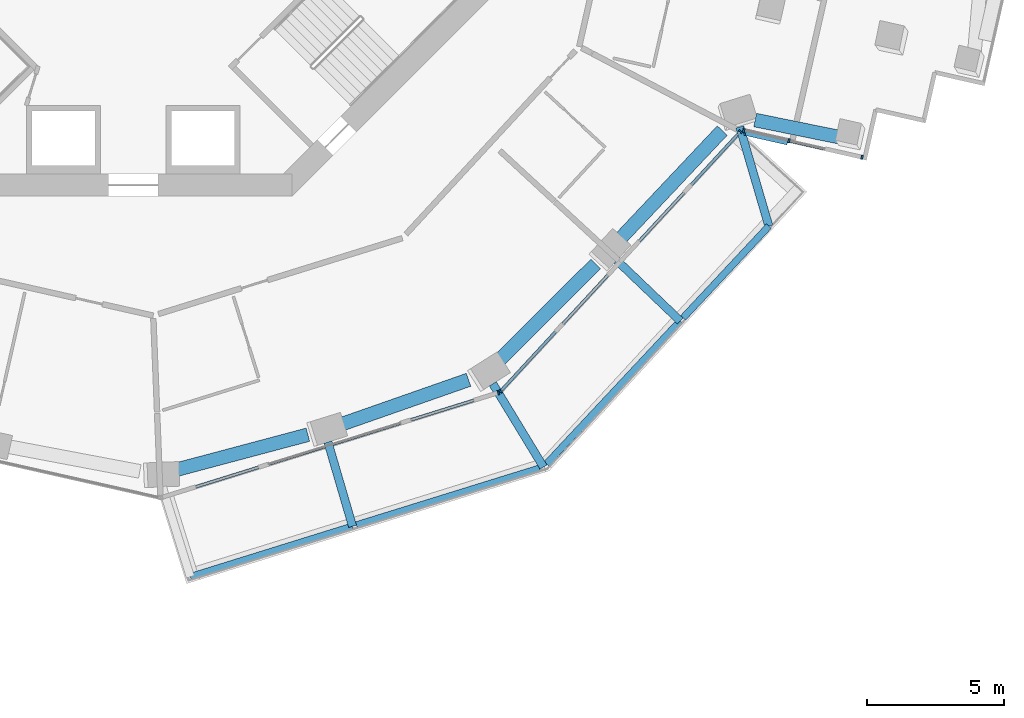
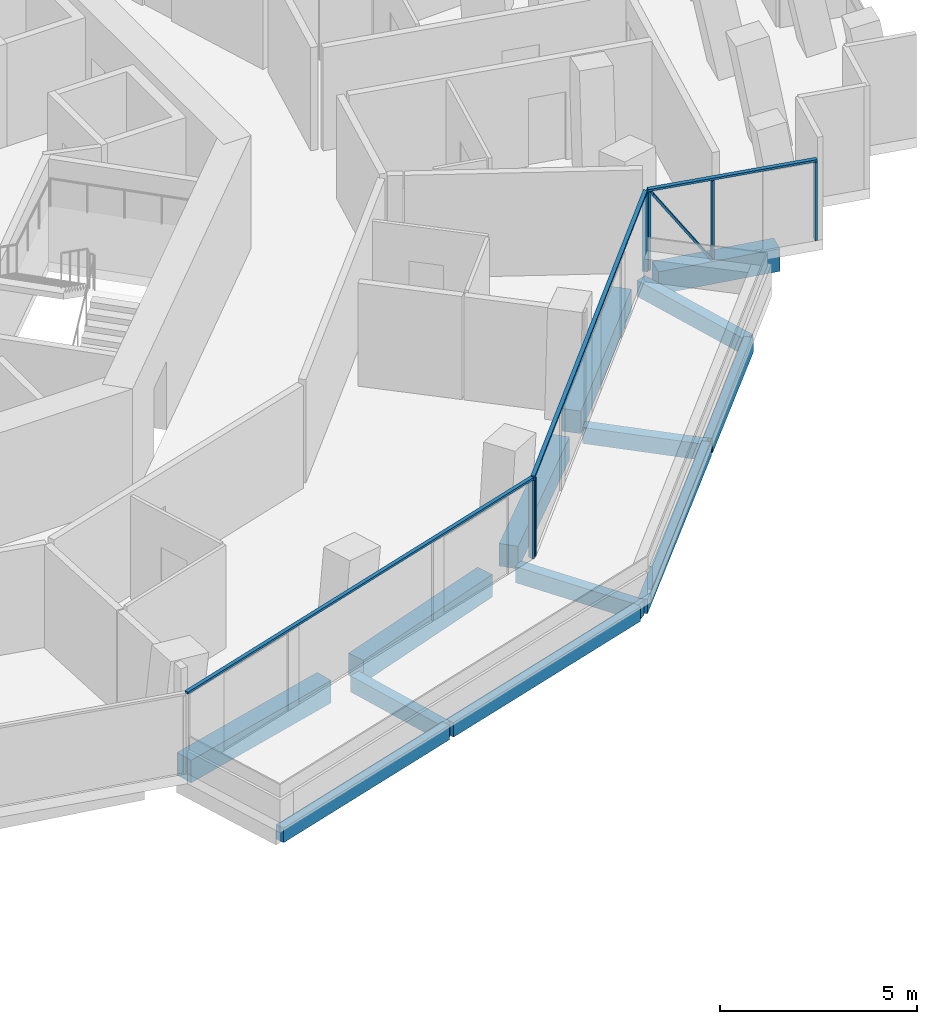
# One storey, part 5 of 25: 13 beams, 10 members, 3 elements without a shape of their own.
"""IFC4 building model written with IfcOpenShell, lengths in metres."""

from ifc_helpers import new_model, si_unit, direction, frame, origin, origin_2d, place, context, subcontext, project, spatial, rectangle, extrude, material, layer, layer_set, material_profile, profile_set, type_object, element, aggregate, save


model = new_model("IFC4")

# Units and contexts
model_context = context("Model", 3, precision=1e-05, world=origin(), true_north=direction((0.0, 1.0)))
body_context = subcontext(model_context, "Body", "Model", "MODEL_VIEW")
ifc_project = project(units=[si_unit("LENGTHUNIT", "METRE"), si_unit("AREAUNIT", "SQUARE_METRE"), si_unit("VOLUMEUNIT", "CUBIC_METRE"), si_unit("PLANEANGLEUNIT", "RADIAN"), si_unit("MASSUNIT", "GRAM", prefix="KILO")], contexts=[model_context])

# Site, building, storey
site_placement = place(None, origin())
site = spatial("IfcSite", under=ifc_project, at=site_placement, CompositionType="ELEMENT")
building_placement = place(site_placement, origin())
building = spatial("IfcBuilding", under=site, at=building_placement, Name="Verdalira Terraces Hotel", CompositionType="ELEMENT")
storey_placement = place(building_placement, frame((0.0, 0.0, 103.5)))
storey = spatial("IfcBuildingStorey", under=building, at=storey_placement, Name="L24", CompositionType="ELEMENT", Elevation=103.5)

# Beams
ifc_material_1 = material(Name="Concrete C40", Category="concrete")
ifc_material_profile_1 = material_profile(ifc_material_1, rectangle(XDim=0.300049, YDim=0.5, at=origin_2d()), Name="RC 300X500")
ifc_profile_set_1 = profile_set([ifc_material_profile_1], Name="Concrete C40")
beam_type_1 = type_object("IfcBeamType", Name="Balcony cantilever beam RC 300X500 C40", PredefinedType="BEAM", material=ifc_profile_set_1)
beam_1_placement = place(storey_placement, frame((7.105713, -22.984863, -0.560059), z_axis=(0.280931312, -0.959727877, 0.0), x_axis=(0.959727877, 0.280931312, 0.0)))
element("IfcBeam", 1, at=beam_1_placement, inside=storey, type_object=beam_type_1, Name="Balcony cantilever beam R26-2", PredefinedType="BEAM", context=body_context, shape_type="SweptSolid", body=[
    extrude(rectangle(XDim=0.300049, YDim=0.5, at=origin_2d()), origin(), (0.0, 0.0, 1.0), 3.200684),
])
beam_2_placement = place(storey_placement, frame((13.123779, -20.856934, -0.560059), z_axis=(0.519755305, -0.854315178, 0.0), x_axis=(0.854315178, 0.519755305, 0.0)))
element("IfcBeam", 2, at=beam_2_placement, inside=storey, type_object=beam_type_1, Name="Balcony cantilever beam R26-3", PredefinedType="BEAM", context=body_context, shape_type="SweptSolid", body=[
    extrude(rectangle(XDim=0.300049, YDim=0.5, at=origin_2d()), origin(), (0.0, 0.0, 1.0), 3.556641),
])
beam_3_placement = place(storey_placement, frame((17.645996, -16.352539, -0.560059), z_axis=(0.723166767, -0.69067346, 0.0), x_axis=(0.69067346, 0.723166767, 0.0)))
element("IfcBeam", 3, at=beam_3_placement, inside=storey, type_object=beam_type_1, Name="Balcony cantilever beam R26-4", PredefinedType="BEAM", context=body_context, shape_type="SweptSolid", body=[
    extrude(rectangle(XDim=0.300049, YDim=0.5, at=origin_2d()), origin(), (0.0, 0.0, 1.0), 3.200684),
])
beam_4_placement = place(storey_placement, frame((22.135742, -11.484619, -0.560059), z_axis=(0.280984587, -0.959712281, 0.0), x_axis=(0.959712281, 0.280984587, 0.0)))
element("IfcBeam", 4, at=beam_4_placement, inside=storey, type_object=beam_type_1, Name="Balcony cantilever beam R26-5", PredefinedType="BEAM", context=body_context, shape_type="SweptSolid", body=[
    extrude(rectangle(XDim=0.300049, YDim=0.5, at=origin_2d()), origin(), (0.0, 0.0, 1.0), 3.77002),
])
ifc_material_2 = material(Name="Concrete C40", Category="concrete")
ifc_material_profile_2 = material_profile(ifc_material_2, rectangle(XDim=0.25, YDim=0.449951, at=origin_2d()), Name="RC 250X450")
ifc_profile_set_2 = profile_set([ifc_material_profile_2], Name="Concrete C40")
beam_type_2 = type_object("IfcBeamType", Name="Balcony edge beam RC 250X450 C40", PredefinedType="BEAM", material=ifc_profile_set_2)
beam_5_placement = place(storey_placement, frame((2.084961, -27.898193, -0.534912), z_axis=(0.95486596, 0.297037031, 0.0), x_axis=(-0.297037031, 0.95486596, 0.0)))
element("IfcBeam", 5, at=beam_5_placement, inside=storey, type_object=beam_type_2, Name="Balcony edge beam R26-1", PredefinedType="BEAM", context=body_context, shape_type="SweptSolid", body=[
    extrude(rectangle(XDim=0.25, YDim=0.449951, at=origin_2d()), origin(), (0.0, 0.0, 1.0), 6.199707),
])
beam_6_placement = place(storey_placement, frame((8.148193, -26.012207, -0.534912), z_axis=(0.955103675, 0.296271784, 0.0), x_axis=(-0.296271784, 0.955103675, 0.0)))
element("IfcBeam", 6, at=beam_6_placement, inside=storey, type_object=beam_type_2, Name="Balcony edge beam R26-2", PredefinedType="BEAM", context=body_context, shape_type="SweptSolid", body=[
    extrude(rectangle(XDim=0.25, YDim=0.449951, at=origin_2d()), origin(), (0.0, 0.0, 1.0), 6.990234),
])
beam_7_placement = place(storey_placement, frame((15.078857, -23.781738, -0.534912), z_axis=(0.683157717, 0.730270864, 0.0), x_axis=(-0.730270864, 0.683157717, 0.0)))
element("IfcBeam", 7, at=beam_7_placement, inside=storey, type_object=beam_type_2, Name="Balcony edge beam R26-3", PredefinedType="BEAM", context=body_context, shape_type="SweptSolid", body=[
    extrude(rectangle(XDim=0.25, YDim=0.449951, at=origin_2d()), origin(), (0.0, 0.0, 1.0), 7.145996),
])
beam_8_placement = place(storey_placement, frame((20.063232, -18.453613, -0.534912), z_axis=(0.68283015, 0.73057716, 0.0), x_axis=(-0.73057716, 0.68283015, 0.0)))
element("IfcBeam", 8, at=beam_8_placement, inside=storey, type_object=beam_type_2, Name="Balcony edge beam R26-4", PredefinedType="BEAM", context=body_context, shape_type="SweptSolid", body=[
    extrude(rectangle(XDim=0.25, YDim=0.449951, at=origin_2d()), origin(), (0.0, 0.0, 1.0), 4.58667),
])

# Curtain wall, member
ifc_material_3 = material(Name="Clear glass", Category="glass")
ifc_layer_1 = layer(ifc_material_3, 0.14990234375)
ifc_layer_set_1 = layer_set([ifc_layer_1], Name="CW1 curtain wall")
curtain_wall_type_1 = type_object("IfcCurtainWallType", Name="CW1 curtain wall", PredefinedType="NOTDEFINED", material=ifc_layer_set_1)
curtain_wall_1_placement = place(storey_placement, origin())
curtain_wall_1 = element("IfcCurtainWall", 9, at=curtain_wall_1_placement, inside=storey, type_object=curtain_wall_type_1, Name="CW1 curtain wall L24 edge 26", PredefinedType="NOTDEFINED")
ifc_material_4 = material(Name="Terracotta frame", Category="masonry")
ifc_material_profile_3 = material_profile(ifc_material_4, rectangle(XDim=0.060059, YDim=0.149902, at=origin_2d()), Name="MU 60x150")
ifc_profile_set_3 = profile_set([ifc_material_profile_3], Name="Terracotta frame")
member_type_1 = type_object("IfcMemberType", Name="CW1 mullion 60x150", PredefinedType="MULLION", material=ifc_profile_set_3)
member_1_placement = place(storey_placement, frame((13.322998, -21.181885, 0.0), z_axis=(0.0, 0.0, 1.0), x_axis=(0.954864545, 0.297041582, 0.0)))
member_1 = element("IfcMember", 10, at=member_1_placement, type_object=member_type_1, Name="CW1 mullion", PredefinedType="MULLION", context=body_context, shape_type="SweptSolid", body=[
    extrude(rectangle(XDim=0.060059, YDim=0.149902, at=origin_2d()), origin(), (0.0, 0.0, 1.0), 2.425049),
])

# Curtain wall, members
curtain_wall_2_placement = place(storey_placement, origin())
curtain_wall_2 = element("IfcCurtainWall", 11, at=curtain_wall_2_placement, inside=storey, type_object=curtain_wall_type_1, Name="CW1 curtain wall L24 edge 27", PredefinedType="NOTDEFINED")
member_2_placement = place(storey_placement, frame((13.404785, -21.130127, 0.0), z_axis=(0.0, 0.0, 1.0), x_axis=(0.678416162, 0.734677828, 0.0)))
member_2 = element("IfcMember", 12, at=member_2_placement, type_object=member_type_1, Name="CW1 mullion", PredefinedType="MULLION", context=body_context, shape_type="SweptSolid", body=[
    extrude(rectangle(XDim=0.060059, YDim=0.149902, at=origin_2d()), origin(), (0.0, 0.0, 1.0), 2.425049),
])
member_3_placement = place(storey_placement, frame((22.15625, -11.653076, 0.0), z_axis=(0.0, 0.0, 1.0), x_axis=(0.678416162, 0.734677828, 0.0)))
member_3 = element("IfcMember", 13, at=member_3_placement, type_object=member_type_1, Name="CW1 mullion", PredefinedType="MULLION", context=body_context, shape_type="SweptSolid", body=[
    extrude(rectangle(XDim=0.060059, YDim=0.149902, at=origin_2d()), origin(), (0.0, 0.0, 1.0), 2.425049),
])

# Member
ifc_material_5 = material(Name="Terracotta frame", Category="masonry")
ifc_material_profile_4 = material_profile(ifc_material_5, rectangle(XDim=0.110107, YDim=0.064941, at=origin_2d()), Name="TR 65x110")
ifc_profile_set_4 = profile_set([ifc_material_profile_4], Name="Terracotta frame")
member_type_2 = type_object("IfcMemberType", Name="CW1 transom 65x110", PredefinedType="USERDEFINED", material=ifc_profile_set_4)
member_4_placement = place(storey_placement, frame((1.015137, -25.010742, 2.45752), z_axis=(0.954860826, 0.297053535, 0.0), x_axis=(-0.297053535, 0.954860826, 0.0)))
member_4 = element("IfcMember", 14, at=member_4_placement, type_object=member_type_2, Name="CW1 transom", ObjectType="TRANSOM", PredefinedType="USERDEFINED", context=body_context, shape_type="SweptSolid", body=[
    extrude(rectangle(XDim=0.110107, YDim=0.064941, at=origin_2d()), origin(), (0.0, 0.0, 1.0), 12.919922),
])

aggregate(curtain_wall_1, [member_1, member_4])

member_5_placement = place(storey_placement, frame((13.384521, -21.152344, 2.45752), z_axis=(0.678412319, 0.734681377, 0.0), x_axis=(-0.734681377, 0.678412319, 0.0)))
member_5 = element("IfcMember", 15, at=member_5_placement, type_object=member_type_2, Name="CW1 transom", ObjectType="TRANSOM", PredefinedType="USERDEFINED", context=body_context, shape_type="SweptSolid", body=[
    extrude(rectangle(XDim=0.110107, YDim=0.064941, at=origin_2d()), origin(), (0.0, 0.0, 1.0), 12.959961),
])

aggregate(curtain_wall_2, [member_2, member_3, member_5])

# Curtain wall, members
ifc_material_6 = material(Name="Clear glass", Category="glass")
ifc_layer_2 = layer(ifc_material_6, 0.14990234375)
ifc_layer_set_2 = layer_set([ifc_layer_2], Name="CW2 curtain wall")
curtain_wall_type_2 = type_object("IfcCurtainWallType", Name="CW2 curtain wall", PredefinedType="NOTDEFINED", material=ifc_layer_set_2)
curtain_wall_3_placement = place(storey_placement, origin())
curtain_wall_3 = element("IfcCurtainWall", 16, at=curtain_wall_3_placement, inside=storey, type_object=curtain_wall_type_2, Name="CW2 curtain wall L24 edge 28", PredefinedType="NOTDEFINED")
ifc_material_7 = material(Name="Terracotta frame", Category="masonry")
ifc_material_profile_5 = material_profile(ifc_material_7, rectangle(XDim=0.070068, YDim=0.149902, at=origin_2d()), Name="MU 70x150")
ifc_profile_set_5 = profile_set([ifc_material_profile_5], Name="Terracotta frame")
member_type_3 = type_object("IfcMemberType", Name="CW2 mullion 70x150", PredefinedType="MULLION", material=ifc_profile_set_5)
member_6_placement = place(storey_placement, frame((22.282471, -11.616455, 0.0), z_axis=(0.0, 0.0, 1.0), x_axis=(0.975457744, -0.220186717, 0.0)))
member_6 = element("IfcMember", 17, at=member_6_placement, type_object=member_type_3, Name="CW2 mullion", PredefinedType="MULLION", context=body_context, shape_type="SweptSolid", body=[
    extrude(rectangle(XDim=0.070068, YDim=0.149902, at=origin_2d()), origin(), (0.0, 0.0, 1.0), 2.425049),
])
member_7_placement = place(storey_placement, frame((23.927734, -11.987793, 0.0), z_axis=(0.0, 0.0, 1.0), x_axis=(0.975457744, -0.220186717, 0.0)))
member_7 = element("IfcMember", 18, at=member_7_placement, type_object=member_type_3, Name="CW2 mullion", PredefinedType="MULLION", context=body_context, shape_type="SweptSolid", body=[
    extrude(rectangle(XDim=0.070068, YDim=0.149902, at=origin_2d()), origin(), (0.0, 0.0, 1.0), 2.425049),
])
member_8_placement = place(storey_placement, frame((26.595459, -12.590088, 0.0), z_axis=(0.0, 0.0, 1.0), x_axis=(0.975457744, -0.220186717, 0.0)))
member_8 = element("IfcMember", 19, at=member_8_placement, type_object=member_type_3, Name="CW2 mullion", PredefinedType="MULLION", context=body_context, shape_type="SweptSolid", body=[
    extrude(rectangle(XDim=0.070068, YDim=0.149902, at=origin_2d()), origin(), (0.0, 0.0, 1.0), 2.425049),
])
ifc_material_8 = material(Name="Terracotta frame", Category="masonry")
ifc_material_profile_6 = material_profile(ifc_material_8, rectangle(XDim=0.11499, YDim=0.064941, at=origin_2d()), Name="TR 65x115")
ifc_profile_set_6 = profile_set([ifc_material_profile_6], Name="Terracotta frame")
member_type_4 = type_object("IfcMemberType", Name="CW2 transom 65x115", PredefinedType="USERDEFINED", material=ifc_profile_set_6)
member_9_placement = place(storey_placement, frame((22.248291, -11.608643, 2.45752), z_axis=(0.975456445, -0.22019247, 0.0), x_axis=(0.22019247, 0.975456445, 0.0)))
member_9 = element("IfcMember", 20, at=member_9_placement, type_object=member_type_4, Name="CW2 transom", ObjectType="TRANSOM", PredefinedType="USERDEFINED", context=body_context, shape_type="SweptSolid", body=[
    extrude(rectangle(XDim=0.11499, YDim=0.064941, at=origin_2d()), origin(), (0.0, 0.0, 1.0), 4.491699),
])
ifc_material_9 = material(Name="Terracotta frame", Category="masonry")
ifc_material_profile_7 = material_profile(ifc_material_9, rectangle(XDim=0.149902, YDim=0.060059, at=origin_2d()), Name="GB 60x150")
ifc_profile_set_7 = profile_set([ifc_material_profile_7], Name="Terracotta frame")
member_type_5 = type_object("IfcMemberType", Name="Diagonal glazing bar 60x150", PredefinedType="USERDEFINED", material=ifc_profile_set_7)
member_10_placement = place(storey_placement, frame((22.322021, -11.718506, 2.385986), z_axis=(0.541063715, -0.122131003, -0.832066148), x_axis=(0.220184237, 0.975458303, 0.0)))
member_10 = element("IfcMember", 21, at=member_10_placement, type_object=member_type_5, Name="Diagonal glazing bar", ObjectType="GLAZING BAR", PredefinedType="USERDEFINED", context=body_context, shape_type="SweptSolid", body=[
    extrude(rectangle(XDim=0.149902, YDim=0.060059, at=origin_2d()), origin(), (0.0, 0.0, 1.0), 2.820557),
])
aggregate(curtain_wall_3, [member_6, member_7, member_8, member_9, member_10])

# Beams
ifc_material_10 = material(Name="Concrete C70", Category="concrete")
ifc_material_profile_8 = material_profile(ifc_material_10, rectangle(XDim=0.5, YDim=0.699951, at=origin_2d()), Name="RC 500X700")
ifc_profile_set_8 = profile_set([ifc_material_profile_8], Name="Concrete C70")
beam_type_3 = type_object("IfcBeamType", Name="Spandrel beam RC 500X700 C70", PredefinedType="SPANDREL", material=ifc_profile_set_8)
beam_9_placement = place(storey_placement, frame((1.52832, -24.004883, -0.659912), z_axis=(0.966366508, 0.257168762, 0.0), x_axis=(-0.257168762, 0.966366508, 0.0)))
element("IfcBeam", 22, at=beam_9_placement, inside=storey, type_object=beam_type_3, Name="Spandrel beam B17", PredefinedType="SPANDREL", context=body_context, shape_type="SweptSolid", body=[
    extrude(rectangle(XDim=0.5, YDim=0.699951, at=origin_2d()), origin(), (0.0, 0.0, 1.0), 5.015381),
])
beam_10_placement = place(storey_placement, frame((7.505371, -22.366943, -0.659912), z_axis=(0.943827218, 0.330439379, 0.0), x_axis=(-0.330439379, 0.943827218, 0.0)))
element("IfcBeam", 23, at=beam_10_placement, inside=storey, type_object=beam_type_3, Name="Spandrel beam B18", PredefinedType="SPANDREL", context=body_context, shape_type="SweptSolid", body=[
    extrude(rectangle(XDim=0.5, YDim=0.699951, at=origin_2d()), origin(), (0.0, 0.0, 1.0), 5.012207),
])
beam_11_placement = place(storey_placement, frame((13.325928, -20.024902, -0.659912), z_axis=(0.708298361, 0.70591319, 0.0), x_axis=(-0.70591319, 0.708298361, 0.0)))
element("IfcBeam", 24, at=beam_11_placement, inside=storey, type_object=beam_type_3, Name="Spandrel beam B19", PredefinedType="SPANDREL", context=body_context, shape_type="SweptSolid", body=[
    extrude(rectangle(XDim=0.5, YDim=0.699951, at=origin_2d()), origin(), (0.0, 0.0, 1.0), 5.015625),
])
beam_12_placement = place(storey_placement, frame((17.689941, -15.650391, -0.659912), z_axis=(0.686042835, 0.727561151, 0.0), x_axis=(-0.727561151, 0.686042835, 0.0)))
element("IfcBeam", 25, at=beam_12_placement, inside=storey, type_object=beam_type_3, Name="Spandrel beam B20", PredefinedType="SPANDREL", context=body_context, shape_type="SweptSolid", body=[
    extrude(rectangle(XDim=0.5, YDim=0.699951, at=origin_2d()), origin(), (0.0, 0.0, 1.0), 5.545166),
])
beam_13_placement = place(storey_placement, frame((22.69458, -11.232666, -0.659912), z_axis=(0.97998732, -0.199059924, 0.0), x_axis=(0.199059924, 0.97998732, 0.0)))
element("IfcBeam", 26, at=beam_13_placement, inside=storey, type_object=beam_type_3, Name="Spandrel beam B21", PredefinedType="SPANDREL", context=body_context, shape_type="SweptSolid", body=[
    extrude(rectangle(XDim=0.5, YDim=0.699951, at=origin_2d()), origin(), (0.0, 0.0, 1.0), 3.252686),
])

save(model, "model.ifc")
